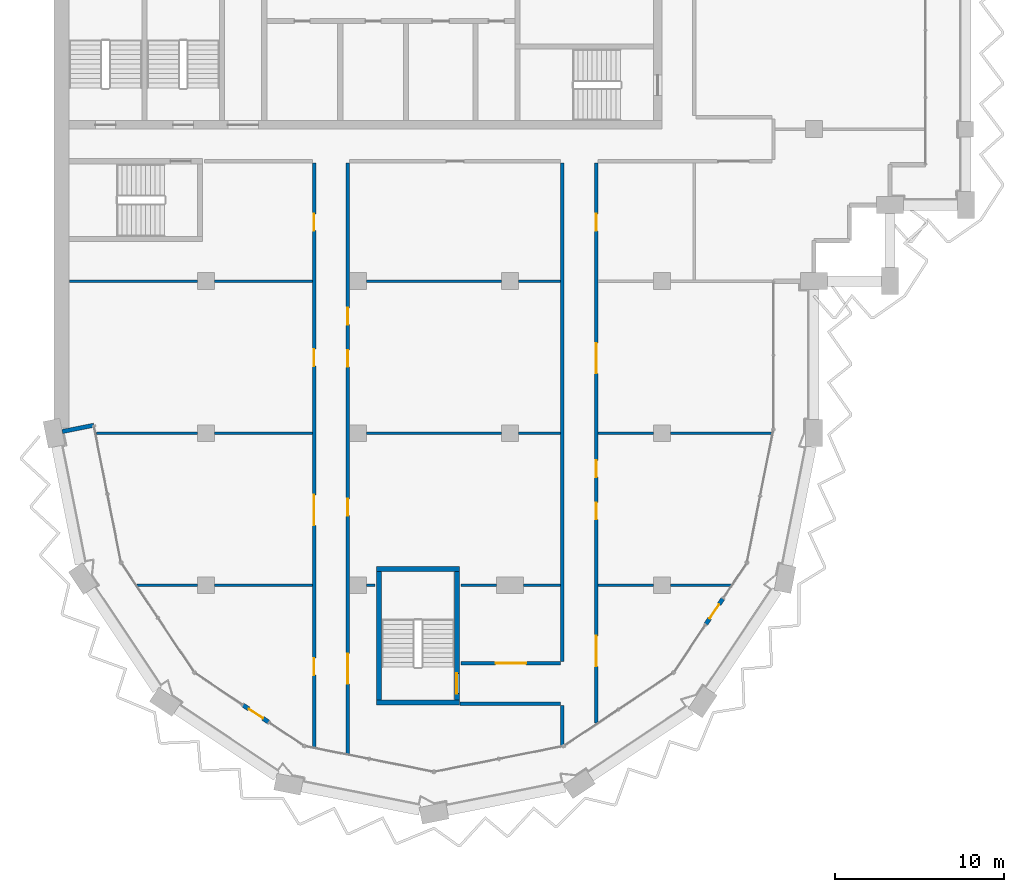
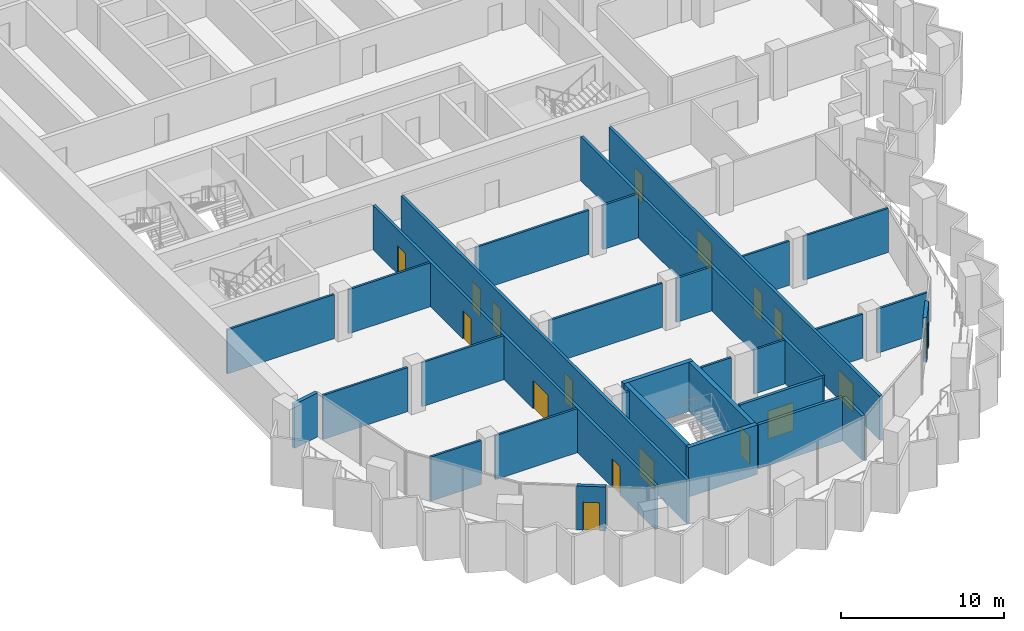
# One storey, part 7 of 16: 31 walls, 17 doors, 17 openings.
"""IFC4 building model written with IfcOpenShell, lengths in metres."""

from ifc_helpers import new_model, si_unit, direction, frame, frame_2d, origin, place, context, subcontext, project, spatial, rectangle, extrude, material, layer, layer_set, type_object, element, fill, save


model = new_model("IFC4")

# Units and contexts
model_context = context("Model", 3, precision=1e-05, world=origin(), true_north=direction((0.0, 1.0)))
body_context = subcontext(model_context, "Body", "Model", "MODEL_VIEW")
ifc_project = project(units=[si_unit("LENGTHUNIT", "METRE"), si_unit("AREAUNIT", "SQUARE_METRE"), si_unit("VOLUMEUNIT", "CUBIC_METRE"), si_unit("PLANEANGLEUNIT", "RADIAN"), si_unit("MASSUNIT", "GRAM", prefix="KILO")], contexts=[model_context])

# Site, building, storey
site_placement = place(None, origin())
site = spatial("IfcSite", under=ifc_project, at=site_placement, CompositionType="ELEMENT")
building_placement = place(site_placement, origin())
building = spatial("IfcBuilding", under=site, at=building_placement, Name="Hunhe Ridgeline Campus", CompositionType="ELEMENT")
storey_placement = place(building_placement, frame((0.0, 0.0, 246.60009765625)))
storey = spatial("IfcBuildingStorey", under=building, at=storey_placement, Name="L63", CompositionType="ELEMENT", Elevation=246.60009765625)

# Walls
ifc_material_1 = material(Name="Concrete C30", Category="concrete")
ifc_layer_1 = layer(ifc_material_1, 0.25)
ifc_layer_set_1 = layer_set([ifc_layer_1], Name="Corner return wall 250 Concrete C30")
wall_type_1 = type_object("IfcWallType", Name="Corner return wall 250 Concrete C30", PredefinedType="SOLIDWALL", material=ifc_layer_set_1)
wall_1_placement = place(storey_placement, frame((0.490234375, 45.098388671875, 0.0), z_axis=(0.0, 0.0, 1.0), x_axis=(0.980836699013, 0.194831644939, 0.0)))
element("IfcWall", 1, at=wall_1_placement, inside=storey, type_object=wall_type_1, Name="Corner return wall 1", PredefinedType="SOLIDWALL", context=body_context, shape_type="SweptSolid", body=[
    extrude(rectangle(XDim=1.90087890625, YDim=0.25, at=frame_2d((0.950439453125, 0.0))), origin(), (0.0, 0.0, 1.0), 3.2998046875),
])
ifc_material_2 = material(Name="Gypsum board partition")
ifc_layer_2 = layer(ifc_material_2, 0.199951171875)
ifc_layer_set_2 = layer_set([ifc_layer_2], Name="Corridor partition 200 gypsum board on steel studs")
wall_type_2 = type_object("IfcWallType", Name="Corridor partition 200 gypsum board on steel studs", PredefinedType="PARTITIONING", material=ifc_layer_set_2)
wall_2_placement = place(storey_placement, frame((30.0, 28.97509765625, 0.0), z_axis=(0.0, 0.0, 1.0), x_axis=(-1.0, 0.0, 0.0)))
element("IfcWall", 2, at=wall_2_placement, inside=storey, type_object=wall_type_2, Name="F-L63-wall-001", PredefinedType="PARTITIONING", context=body_context, shape_type="SweptSolid", body=[
    extrude(rectangle(XDim=5.969970703125, YDim=0.199951171875, at=frame_2d((2.98486328125, 0.0))), origin(), (0.0, 0.0, 1.0), 3.2998046875),
])

# Wall, opening, door
wall_3_placement = place(storey_placement, frame((24.10400390625, 31.375, 0.0), z_axis=(0.0, 0.0, 1.0), x_axis=(1.0, 0.0, 0.0)))
wall_3 = element("IfcWall", 3, at=wall_3_placement, inside=storey, type_object=wall_type_2, Name="F-L63-wall-002", PredefinedType="PARTITIONING", context=body_context, shape_type="SweptSolid", body=[
    extrude(rectangle(XDim=5.89599609375, YDim=0.199951171875, at=frame_2d((2.947998046875, 0.0))), origin(), (0.0, 0.0, 1.0), 3.2998046875),
])
opening_1_placement = place(wall_3_placement, frame((2.048095703125, 0.0, 0.0)))
opening_1 = element("IfcOpeningElement", 4, at=opening_1_placement, cuts=wall_3, Name="Opening RD2-003", PredefinedType="OPENING", context=body_context, shape_type="SweptSolid", body=[
    extrude(rectangle(XDim=1.800048828125, YDim=2.10009765625, at=frame_2d((0.89990234375, 1.050048828125))), frame((0.0, 0.10009765625, 0.0), z_axis=(0.0, -1.0, 0.0), x_axis=(1.0, 0.0, 0.0)), (0.0, 0.0, 1.0), 0.199951171875),
])
ifc_material_3 = material(Name="Timber door leaf", Category="wood")
door_type_1 = type_object("IfcDoorType", Name="Double fire door 1800x2100 timber FD60", OperationType="DOUBLE_DOOR_SINGLE_SWING", PredefinedType="DOOR", material=ifc_material_3)
door_1_placement = place(opening_1_placement, origin())
door_1 = element("IfcDoor", 5, at=door_1_placement, inside=storey, type_object=door_type_1, Name="F-L63-door-003", OperationType="DOUBLE_DOOR_SINGLE_SWING", OverallHeight=2.10009765625, OverallWidth=1.800048828125, PredefinedType="DOOR", context=body_context, shape_type="SweptSolid", body=[
    extrude(rectangle(XDim=1.800048828125, YDim=2.10009765625, at=frame_2d((0.89990234375, 1.050048828125))), frame((0.0, 0.02490234375, 0.0), z_axis=(0.0, -1.0, 0.0), x_axis=(1.0, 0.0, 0.0)), (0.0, 0.0, 1.0), 0.050048828125),
])
fill(opening_1, door_1)

# Wall, openings, doors
wall_4_placement = place(storey_placement, frame((15.39990234375, 26.415283203125, 0.0), z_axis=(0.0, 0.0, 1.0), x_axis=(0.0, 1.0, 0.0)))
wall_4 = element("IfcWall", 6, at=wall_4_placement, inside=storey, type_object=wall_type_2, Name="F-L63-wall-033", PredefinedType="PARTITIONING", context=body_context, shape_type="SweptSolid", body=[
    extrude(rectangle(XDim=34.584716796875, YDim=0.199951171875, at=frame_2d((17.29248046875, 0.0))), origin(), (0.0, 0.0, 1.0), 3.2998046875),
])
opening_2_placement = place(wall_4_placement, frame((4.26171875, 0.0, 0.0)))
opening_2 = element("IfcOpeningElement", 7, at=opening_2_placement, cuts=wall_4, Name="Opening RD1-002", PredefinedType="OPENING", context=body_context, shape_type="SweptSolid", body=[
    extrude(rectangle(XDim=1.0, YDim=2.10009765625, at=frame_2d((0.5, 1.050048828125))), frame((0.0, 0.10009765625, 0.0), z_axis=(0.0, -1.0, 0.0), x_axis=(1.0, 0.0, 0.0)), (0.0, 0.0, 1.0), 0.199951171875),
])
opening_3_placement = place(wall_4_placement, frame((13.13427734375, 0.0, 0.0)))
opening_3 = element("IfcOpeningElement", 8, at=opening_3_placement, cuts=wall_4, Name="Opening RD2-005", PredefinedType="OPENING", context=body_context, shape_type="SweptSolid", body=[
    extrude(rectangle(XDim=1.800048828125, YDim=2.10009765625, at=frame_2d((0.89990234375, 1.050048828125))), frame((0.0, 0.10009765625, 0.0), z_axis=(0.0, -1.0, 0.0), x_axis=(1.0, 0.0, 0.0)), (0.0, 0.0, 1.0), 0.199951171875),
])
opening_4_placement = place(wall_4_placement, frame((22.556396484375, 0.0, 0.0)))
opening_4 = element("IfcOpeningElement", 9, at=opening_4_placement, cuts=wall_4, Name="Opening RD1-011", PredefinedType="OPENING", context=body_context, shape_type="SweptSolid", body=[
    extrude(rectangle(XDim=1.0, YDim=2.10009765625, at=frame_2d((0.5, 1.050048828125))), frame((0.0, 0.10009765625, 0.0), z_axis=(0.0, -1.0, 0.0), x_axis=(1.0, 0.0, 0.0)), (0.0, 0.0, 1.0), 0.199951171875),
])
opening_5_placement = place(wall_4_placement, frame((30.575927734375, 0.0, 0.0)))
opening_5 = element("IfcOpeningElement", 10, at=opening_5_placement, cuts=wall_4, Name="Opening RD1-013", PredefinedType="OPENING", context=body_context, shape_type="SweptSolid", body=[
    extrude(rectangle(XDim=1.0, YDim=2.10009765625, at=frame_2d((0.5, 1.050048828125))), frame((0.0, 0.10009765625, 0.0), z_axis=(0.0, -1.0, 0.0), x_axis=(1.0, 0.0, 0.0)), (0.0, 0.0, 1.0), 0.199951171875),
])
door_2_placement = place(opening_3_placement, origin())
door_2 = element("IfcDoor", 11, at=door_2_placement, inside=storey, type_object=door_type_1, Name="F-L63-door-005", OperationType="DOUBLE_DOOR_SINGLE_SWING", OverallHeight=2.10009765625, OverallWidth=1.800048828125, PredefinedType="DOOR", context=body_context, shape_type="SweptSolid", body=[
    extrude(rectangle(XDim=1.800048828125, YDim=2.10009765625, at=frame_2d((0.89990234375, 1.050048828125))), frame((0.0, 0.02490234375, 0.0), z_axis=(0.0, -1.0, 0.0), x_axis=(1.0, 0.0, 0.0)), (0.0, 0.0, 1.0), 0.050048828125),
])
fill(opening_3, door_2)
door_type_2 = type_object("IfcDoorType", Name="Single fire door 1000x2100 timber FD60", OperationType="NOTDEFINED", PredefinedType="DOOR", material=ifc_material_3)
door_3_placement = place(opening_2_placement, origin())
door_3 = element("IfcDoor", 12, at=door_3_placement, inside=storey, type_object=door_type_2, Name="F-L63-door-002", OperationType="SINGLE_SWING_RIGHT", OverallHeight=2.10009765625, OverallWidth=1.0, PredefinedType="DOOR", context=body_context, shape_type="SweptSolid", body=[
    extrude(rectangle(XDim=1.0, YDim=2.10009765625, at=frame_2d((0.5, 1.050048828125))), frame((0.0, 0.02490234375, 0.0), z_axis=(0.0, -1.0, 0.0), x_axis=(1.0, 0.0, 0.0)), (0.0, 0.0, 1.0), 0.050048828125),
])
fill(opening_2, door_3)
door_4_placement = place(opening_4_placement, origin())
door_4 = element("IfcDoor", 13, at=door_4_placement, inside=storey, type_object=door_type_2, Name="F-L63-door-011", OperationType="SINGLE_SWING_RIGHT", OverallHeight=2.10009765625, OverallWidth=1.0, PredefinedType="DOOR", context=body_context, shape_type="SweptSolid", body=[
    extrude(rectangle(XDim=1.0, YDim=2.10009765625, at=frame_2d((0.5, 1.050048828125))), frame((0.0, 0.02490234375, 0.0), z_axis=(0.0, -1.0, 0.0), x_axis=(1.0, 0.0, 0.0)), (0.0, 0.0, 1.0), 0.050048828125),
])
fill(opening_4, door_4)
door_5_placement = place(opening_5_placement, origin())
door_5 = element("IfcDoor", 14, at=door_5_placement, inside=storey, type_object=door_type_2, Name="F-L63-door-013", OperationType="SINGLE_SWING_RIGHT", OverallHeight=2.10009765625, OverallWidth=1.0, PredefinedType="DOOR", context=body_context, shape_type="SweptSolid", body=[
    extrude(rectangle(XDim=1.0, YDim=2.10009765625, at=frame_2d((0.5, 1.050048828125))), frame((0.0, 0.02490234375, 0.0), z_axis=(0.0, -1.0, 0.0), x_axis=(1.0, 0.0, 0.0)), (0.0, 0.0, 1.0), 0.050048828125),
])
fill(opening_5, door_5)

wall_5_placement = place(storey_placement, frame((17.39990234375, 61.0, 0.0), z_axis=(0.0, 0.0, 1.0), x_axis=(0.0, -1.0, 0.0)))
wall_5 = element("IfcWall", 15, at=wall_5_placement, inside=storey, type_object=wall_type_2, Name="F-L63-wall-034", PredefinedType="PARTITIONING", context=body_context, shape_type="SweptSolid", body=[
    extrude(rectangle(XDim=34.982421875, YDim=0.199951171875, at=frame_2d((17.4912109375, 0.0))), origin(), (0.0, 0.0, 1.0), 3.2998046875),
])
opening_6_placement = place(wall_5_placement, frame((29.049072265625, 0.0, 0.0)))
opening_6 = element("IfcOpeningElement", 16, at=opening_6_placement, cuts=wall_5, Name="Opening RD2-001", PredefinedType="OPENING", context=body_context, shape_type="SweptSolid", body=[
    extrude(rectangle(XDim=1.800048828125, YDim=2.10009765625, at=frame_2d((0.89990234375, 1.050048828125))), frame((0.0, 0.10009765625, 0.0), z_axis=(0.0, -1.0, 0.0), x_axis=(1.0, 0.0, 0.0)), (0.0, 0.0, 1.0), 0.199951171875),
])
opening_7_placement = place(wall_5_placement, frame((19.885498046875, 0.0, 0.0)))
opening_7 = element("IfcOpeningElement", 17, at=opening_7_placement, cuts=wall_5, Name="Opening RD1-007", PredefinedType="OPENING", context=body_context, shape_type="SweptSolid", body=[
    extrude(rectangle(XDim=1.0, YDim=2.10009765625, at=frame_2d((0.5, 1.050048828125))), frame((0.0, 0.10009765625, 0.0), z_axis=(0.0, -1.0, 0.0), x_axis=(1.0, 0.0, 0.0)), (0.0, 0.0, 1.0), 0.199951171875),
])
opening_8_placement = place(wall_5_placement, frame((11.076904296875, 0.0, 0.0)))
opening_8 = element("IfcOpeningElement", 18, at=opening_8_placement, cuts=wall_5, Name="Opening RD1-009", PredefinedType="OPENING", context=body_context, shape_type="SweptSolid", body=[
    extrude(rectangle(XDim=1.0, YDim=2.10009765625, at=frame_2d((0.5, 1.050048828125))), frame((0.0, 0.10009765625, 0.0), z_axis=(0.0, -1.0, 0.0), x_axis=(1.0, 0.0, 0.0)), (0.0, 0.0, 1.0), 0.199951171875),
])
opening_9_placement = place(wall_5_placement, frame((8.576904296875, 0.0, 0.0)))
opening_9 = element("IfcOpeningElement", 19, at=opening_9_placement, cuts=wall_5, Name="Opening RD1-012", PredefinedType="OPENING", context=body_context, shape_type="SweptSolid", body=[
    extrude(rectangle(XDim=1.0, YDim=2.10009765625, at=frame_2d((0.5, 1.050048828125))), frame((0.0, 0.10009765625, 0.0), z_axis=(0.0, -1.0, 0.0), x_axis=(1.0, 0.0, 0.0)), (0.0, 0.0, 1.0), 0.199951171875),
])
door_6_placement = place(opening_6_placement, origin())
door_6 = element("IfcDoor", 20, at=door_6_placement, inside=storey, type_object=door_type_1, Name="F-L63-door-001", OperationType="DOUBLE_DOOR_SINGLE_SWING", OverallHeight=2.10009765625, OverallWidth=1.800048828125, PredefinedType="DOOR", context=body_context, shape_type="SweptSolid", body=[
    extrude(rectangle(XDim=1.800048828125, YDim=2.10009765625, at=frame_2d((0.89990234375, 1.050048828125))), frame((0.0, 0.02490234375, 0.0), z_axis=(0.0, -1.0, 0.0), x_axis=(1.0, 0.0, 0.0)), (0.0, 0.0, 1.0), 0.050048828125),
])
fill(opening_6, door_6)
door_7_placement = place(opening_7_placement, origin())
door_7 = element("IfcDoor", 21, at=door_7_placement, inside=storey, type_object=door_type_2, Name="F-L63-door-007", OperationType="SINGLE_SWING_RIGHT", OverallHeight=2.10009765625, OverallWidth=1.0, PredefinedType="DOOR", context=body_context, shape_type="SweptSolid", body=[
    extrude(rectangle(XDim=1.0, YDim=2.10009765625, at=frame_2d((0.5, 1.050048828125))), frame((0.0, 0.02490234375, 0.0), z_axis=(0.0, -1.0, 0.0), x_axis=(1.0, 0.0, 0.0)), (0.0, 0.0, 1.0), 0.050048828125),
])
fill(opening_7, door_7)
door_8_placement = place(opening_8_placement, frame((1.0, 0.0, 0.0), z_axis=(0.0, 0.0, 1.0), x_axis=(-1.0, 0.0, 0.0)))
door_8 = element("IfcDoor", 22, at=door_8_placement, inside=storey, type_object=door_type_2, Name="F-L63-door-009", OperationType="SINGLE_SWING_RIGHT", OverallHeight=2.10009765625, OverallWidth=1.0, PredefinedType="DOOR", context=body_context, shape_type="SweptSolid", body=[
    extrude(rectangle(XDim=1.0, YDim=2.10009765625, at=frame_2d((0.5, 1.050048828125))), frame((0.0, 0.02490234375, 0.0), z_axis=(0.0, -1.0, 0.0), x_axis=(1.0, 0.0, 0.0)), (0.0, 0.0, 1.0), 0.050048828125),
])
fill(opening_8, door_8)
door_9_placement = place(opening_9_placement, frame((1.0, 0.0, 0.0), z_axis=(0.0, 0.0, 1.0), x_axis=(-1.0, 0.0, 0.0)))
door_9 = element("IfcDoor", 23, at=door_9_placement, inside=storey, type_object=door_type_2, Name="F-L63-door-012", OperationType="SINGLE_SWING_RIGHT", OverallHeight=2.10009765625, OverallWidth=1.0, PredefinedType="DOOR", context=body_context, shape_type="SweptSolid", body=[
    extrude(rectangle(XDim=1.0, YDim=2.10009765625, at=frame_2d((0.5, 1.050048828125))), frame((0.0, 0.02490234375, 0.0), z_axis=(0.0, -1.0, 0.0), x_axis=(1.0, 0.0, 0.0)), (0.0, 0.0, 1.0), 0.050048828125),
])
fill(opening_9, door_9)

# Walls
wall_6_placement = place(storey_placement, frame((30.10009765625, 26.514892578125, 0.0), z_axis=(0.0, 0.0, 1.0), x_axis=(0.0, 1.0, 0.0)))
element("IfcWall", 24, at=wall_6_placement, inside=storey, type_object=wall_type_2, Name="F-L63-wall-035", PredefinedType="PARTITIONING", context=body_context, shape_type="SweptSolid", body=[
    extrude(rectangle(XDim=2.360107421875, YDim=0.199951171875, at=frame_2d((1.18017578125, 0.0))), origin(), (0.0, 0.0, 1.0), 3.2998046875),
])
wall_7_placement = place(storey_placement, frame((30.10009765625, 31.47509765625, 0.0), z_axis=(0.0, 0.0, 1.0), x_axis=(0.0, 1.0, 0.0)))
element("IfcWall", 25, at=wall_7_placement, inside=storey, type_object=wall_type_2, Name="F-L63-wall-036", PredefinedType="PARTITIONING", context=body_context, shape_type="SweptSolid", body=[
    extrude(rectangle(XDim=29.52490234375, YDim=0.199951171875, at=frame_2d((14.762451171875, 0.0))), origin(), (0.0, 0.0, 1.0), 3.2998046875),
])

# Wall, openings, doors
wall_8_placement = place(storey_placement, frame((32.10009765625, 61.0, 0.0), z_axis=(0.0, 0.0, 1.0), x_axis=(0.0, -1.0, 0.0)))
wall_8 = element("IfcWall", 26, at=wall_8_placement, inside=storey, type_object=wall_type_2, Name="F-L63-wall-037", PredefinedType="PARTITIONING", context=body_context, shape_type="SweptSolid", body=[
    extrude(rectangle(XDim=33.17333984375, YDim=0.199951171875, at=frame_2d((16.586669921875, 0.0))), origin(), (0.0, 0.0, 1.0), 3.2998046875),
])
opening_10_placement = place(wall_8_placement, frame((28.001220703125, 0.0, 0.0)))
opening_10 = element("IfcOpeningElement", 27, at=opening_10_placement, cuts=wall_8, Name="Opening RD2-004", PredefinedType="OPENING", context=body_context, shape_type="SweptSolid", body=[
    extrude(rectangle(XDim=1.800048828125, YDim=2.10009765625, at=frame_2d((0.89990234375, 1.050048828125))), frame((0.0, 0.10009765625, 0.0), z_axis=(0.0, -1.0, 0.0), x_axis=(1.0, 0.0, 0.0)), (0.0, 0.0, 1.0), 0.199951171875),
])
opening_11_placement = place(wall_8_placement, frame((20.107666015625, 0.0, 0.0)))
opening_11 = element("IfcOpeningElement", 28, at=opening_11_placement, cuts=wall_8, Name="Opening RD1-006", PredefinedType="OPENING", context=body_context, shape_type="SweptSolid", body=[
    extrude(rectangle(XDim=1.0, YDim=2.10009765625, at=frame_2d((0.5, 1.050048828125))), frame((0.0, 0.10009765625, 0.0), z_axis=(0.0, -1.0, 0.0), x_axis=(1.0, 0.0, 0.0)), (0.0, 0.0, 1.0), 0.199951171875),
])
opening_12_placement = place(wall_8_placement, frame((17.607666015625, 0.0, 0.0)))
opening_12 = element("IfcOpeningElement", 29, at=opening_12_placement, cuts=wall_8, Name="Opening RD1-008", PredefinedType="OPENING", context=body_context, shape_type="SweptSolid", body=[
    extrude(rectangle(XDim=1.0, YDim=2.10009765625, at=frame_2d((0.5, 1.050048828125))), frame((0.0, 0.10009765625, 0.0), z_axis=(0.0, -1.0, 0.0), x_axis=(1.0, 0.0, 0.0)), (0.0, 0.0, 1.0), 0.199951171875),
])
opening_13_placement = place(wall_8_placement, frame((10.660400390625, 0.0, 0.0)))
opening_13 = element("IfcOpeningElement", 30, at=opening_13_placement, cuts=wall_8, Name="Opening RD2-010", PredefinedType="OPENING", context=body_context, shape_type="SweptSolid", body=[
    extrude(rectangle(XDim=1.800048828125, YDim=2.10009765625, at=frame_2d((0.89990234375, 1.050048828125))), frame((0.0, 0.10009765625, 0.0), z_axis=(0.0, -1.0, 0.0), x_axis=(1.0, 0.0, 0.0)), (0.0, 0.0, 1.0), 0.199951171875),
])
opening_14_placement = place(wall_8_placement, frame((3.018310546875, 0.0, 0.0)))
opening_14 = element("IfcOpeningElement", 31, at=opening_14_placement, cuts=wall_8, Name="Opening RD1-014", PredefinedType="OPENING", context=body_context, shape_type="SweptSolid", body=[
    extrude(rectangle(XDim=1.0, YDim=2.10009765625, at=frame_2d((0.5, 1.050048828125))), frame((0.0, 0.10009765625, 0.0), z_axis=(0.0, -1.0, 0.0), x_axis=(1.0, 0.0, 0.0)), (0.0, 0.0, 1.0), 0.199951171875),
])
door_10_placement = place(opening_10_placement, origin())
door_10 = element("IfcDoor", 32, at=door_10_placement, inside=storey, type_object=door_type_1, Name="F-L63-door-004", OperationType="DOUBLE_DOOR_SINGLE_SWING", OverallHeight=2.10009765625, OverallWidth=1.800048828125, PredefinedType="DOOR", context=body_context, shape_type="SweptSolid", body=[
    extrude(rectangle(XDim=1.800048828125, YDim=2.10009765625, at=frame_2d((0.89990234375, 1.050048828125))), frame((0.0, 0.02490234375, 0.0), z_axis=(0.0, -1.0, 0.0), x_axis=(1.0, 0.0, 0.0)), (0.0, 0.0, 1.0), 0.050048828125),
])
fill(opening_10, door_10)
door_11_placement = place(opening_13_placement, origin())
door_11 = element("IfcDoor", 33, at=door_11_placement, inside=storey, type_object=door_type_1, Name="F-L63-door-010", OperationType="DOUBLE_DOOR_SINGLE_SWING", OverallHeight=2.10009765625, OverallWidth=1.800048828125, PredefinedType="DOOR", context=body_context, shape_type="SweptSolid", body=[
    extrude(rectangle(XDim=1.800048828125, YDim=2.10009765625, at=frame_2d((0.89990234375, 1.050048828125))), frame((0.0, 0.02490234375, 0.0), z_axis=(0.0, -1.0, 0.0), x_axis=(1.0, 0.0, 0.0)), (0.0, 0.0, 1.0), 0.050048828125),
])
fill(opening_13, door_11)
door_12_placement = place(opening_11_placement, frame((1.0, 0.0, 0.0), z_axis=(0.0, 0.0, 1.0), x_axis=(-1.0, 0.0, 0.0)))
door_12 = element("IfcDoor", 34, at=door_12_placement, inside=storey, type_object=door_type_2, Name="F-L63-door-006", OperationType="SINGLE_SWING_RIGHT", OverallHeight=2.10009765625, OverallWidth=1.0, PredefinedType="DOOR", context=body_context, shape_type="SweptSolid", body=[
    extrude(rectangle(XDim=1.0, YDim=2.10009765625, at=frame_2d((0.5, 1.050048828125))), frame((0.0, 0.02490234375, 0.0), z_axis=(0.0, -1.0, 0.0), x_axis=(1.0, 0.0, 0.0)), (0.0, 0.0, 1.0), 0.050048828125),
])
fill(opening_11, door_12)
door_13_placement = place(opening_12_placement, frame((1.0, 0.0, 0.0), z_axis=(0.0, 0.0, 1.0), x_axis=(-1.0, 0.0, 0.0)))
door_13 = element("IfcDoor", 35, at=door_13_placement, inside=storey, type_object=door_type_2, Name="F-L63-door-008", OperationType="SINGLE_SWING_RIGHT", OverallHeight=2.10009765625, OverallWidth=1.0, PredefinedType="DOOR", context=body_context, shape_type="SweptSolid", body=[
    extrude(rectangle(XDim=1.0, YDim=2.10009765625, at=frame_2d((0.5, 1.050048828125))), frame((0.0, 0.02490234375, 0.0), z_axis=(0.0, -1.0, 0.0), x_axis=(1.0, 0.0, 0.0)), (0.0, 0.0, 1.0), 0.050048828125),
])
fill(opening_12, door_13)
door_14_placement = place(opening_14_placement, origin())
door_14 = element("IfcDoor", 36, at=door_14_placement, inside=storey, type_object=door_type_2, Name="F-L63-door-014", OperationType="SINGLE_SWING_RIGHT", OverallHeight=2.10009765625, OverallWidth=1.0, PredefinedType="DOOR", context=body_context, shape_type="SweptSolid", body=[
    extrude(rectangle(XDim=1.0, YDim=2.10009765625, at=frame_2d((0.5, 1.050048828125))), frame((0.0, 0.02490234375, 0.0), z_axis=(0.0, -1.0, 0.0), x_axis=(1.0, 0.0, 0.0)), (0.0, 0.0, 1.0), 0.050048828125),
])
fill(opening_14, door_14)

# Wall, opening, door
ifc_layer_3 = layer(ifc_material_1, 0.25)
ifc_layer_set_3 = layer_set([ifc_layer_3], Name="Loggia door pier wall 250 Concrete C30")
wall_type_3 = type_object("IfcWallType", Name="Loggia door pier wall 250 Concrete C30", PredefinedType="SOLIDWALL", material=ifc_layer_set_3)
wall_9_placement = place(storey_placement, frame((11.19970703125, 28.897705078125, 0.0), z_axis=(0.0, 0.0, 1.0), x_axis=(0.83146554274, -0.555576323502, 0.0)))
wall_9 = element("IfcWall", 37, at=wall_9_placement, inside=storey, type_object=wall_type_3, Name="Loggia door pier 1", PredefinedType="SOLIDWALL", context=body_context, shape_type="SweptSolid", body=[
    extrude(rectangle(XDim=1.800048828125, YDim=0.25, at=frame_2d((0.89990234375, 0.0))), origin(), (0.0, 0.0, 1.0), 3.2998046875),
])
opening_15_placement = place(wall_9_placement, frame((0.39990234375, 0.0, 0.0)))
opening_15 = element("IfcOpeningElement", 38, at=opening_15_placement, cuts=wall_9, Name="Opening BD502", PredefinedType="OPENING", context=body_context, shape_type="SweptSolid", body=[
    extrude(rectangle(XDim=1.0, YDim=2.10009765625, at=frame_2d((0.5, 1.050048828125))), frame((0.0, 0.125, 0.0), z_axis=(0.0, -1.0, 0.0), x_axis=(1.0, 0.0, 0.0)), (0.0, 0.0, 1.0), 0.25),
])
ifc_material_4 = material(Name="Aluminium 6063", Category="aluminium")
door_type_3 = type_object("IfcDoorType", Name="Loggia glazed door 1000x2100", OperationType="NOTDEFINED", PredefinedType="DOOR", material=ifc_material_4)
door_15_placement = place(opening_15_placement, frame((1.0, 0.0, 0.0), z_axis=(0.0, 0.0, 1.0), x_axis=(-1.0, 0.0, 0.0)))
door_15 = element("IfcDoor", 39, at=door_15_placement, inside=storey, type_object=door_type_3, Name="Loggia door BD502", OperationType="SINGLE_SWING_LEFT", OverallHeight=2.10009765625, OverallWidth=1.0, PredefinedType="DOOR", context=body_context, shape_type="SweptSolid", body=[
    extrude(rectangle(XDim=1.0, YDim=2.10009765625, at=frame_2d((0.5, 1.050048828125))), frame((0.0, 0.02490234375, 0.0), z_axis=(0.0, -1.0, 0.0), x_axis=(1.0, 0.0, 0.0)), (0.0, 0.0, 1.0), 0.050048828125),
])
fill(opening_15, door_15)

wall_10_placement = place(storey_placement, frame((38.602294921875, 33.69970703125, 0.0), z_axis=(0.0, 0.0, 1.0), x_axis=(0.555576323502, 0.83146554274, 0.0)))
wall_10 = element("IfcWall", 40, at=wall_10_placement, inside=storey, type_object=wall_type_3, Name="Loggia door pier 2", PredefinedType="SOLIDWALL", context=body_context, shape_type="SweptSolid", body=[
    extrude(rectangle(XDim=1.800048828125, YDim=0.25, at=frame_2d((0.89990234375, 0.0))), origin(), (0.0, 0.0, 1.0), 3.2998046875),
])
opening_16_placement = place(wall_10_placement, frame((0.39990234375, 0.0, 0.0)))
opening_16 = element("IfcOpeningElement", 41, at=opening_16_placement, cuts=wall_10, Name="Opening BD504", PredefinedType="OPENING", context=body_context, shape_type="SweptSolid", body=[
    extrude(rectangle(XDim=1.0, YDim=2.10009765625, at=frame_2d((0.5, 1.050048828125))), frame((0.0, 0.125, 0.0), z_axis=(0.0, -1.0, 0.0), x_axis=(1.0, 0.0, 0.0)), (0.0, 0.0, 1.0), 0.25),
])
door_16_placement = place(opening_16_placement, frame((1.0, 0.0, 0.0), z_axis=(0.0, 0.0, 1.0), x_axis=(-1.0, 0.0, 0.0)))
door_16 = element("IfcDoor", 42, at=door_16_placement, inside=storey, type_object=door_type_3, Name="Loggia door BD504", OperationType="SINGLE_SWING_LEFT", OverallHeight=2.10009765625, OverallWidth=1.0, PredefinedType="DOOR", context=body_context, shape_type="SweptSolid", body=[
    extrude(rectangle(XDim=1.0, YDim=2.10009765625, at=frame_2d((0.5, 1.050048828125))), frame((0.0, 0.02490234375, 0.0), z_axis=(0.0, -1.0, 0.0), x_axis=(1.0, 0.0, 0.0)), (0.0, 0.0, 1.0), 0.050048828125),
])
fill(opening_16, door_16)

# Walls
ifc_layer_4 = layer(ifc_material_2, 0.14990234375)
ifc_layer_set_4 = layer_set([ifc_layer_4], Name="Room partition 150 gypsum board on steel studs")
wall_type_4 = type_object("IfcWallType", Name="Room partition 150 gypsum board on steel studs", PredefinedType="PARTITIONING", material=ifc_layer_set_4)
wall_11_placement = place(storey_placement, frame((4.925537109375, 36.0, 0.0), z_axis=(0.0, 0.0, 1.0), x_axis=(1.0, 0.0, 0.0)))
element("IfcWall", 43, at=wall_11_placement, inside=storey, type_object=wall_type_4, Name="F-L63-wall-003", PredefinedType="PARTITIONING", context=body_context, shape_type="SweptSolid", body=[
    extrude(rectangle(XDim=3.574462890625, YDim=0.14990234375, at=frame_2d((1.787109375, 0.0))), origin(), (0.0, 0.0, 1.0), 3.2998046875),
])
wall_12_placement = place(storey_placement, frame((9.5, 36.0, 0.0), z_axis=(0.0, 0.0, 1.0), x_axis=(1.0, 0.0, 0.0)))
element("IfcWall", 44, at=wall_12_placement, inside=storey, type_object=wall_type_4, Name="F-L63-wall-004", PredefinedType="PARTITIONING", context=body_context, shape_type="SweptSolid", body=[
    extrude(rectangle(XDim=5.800048828125, YDim=0.14990234375, at=frame_2d((2.89990234375, 0.0))), origin(), (0.0, 0.0, 1.0), 3.2998046875),
])
wall_13_placement = place(storey_placement, frame((18.5, 36.0, 0.0), z_axis=(0.0, 0.0, 1.0), x_axis=(1.0, 0.0, 0.0)))
element("IfcWall", 45, at=wall_13_placement, inside=storey, type_object=wall_type_4, Name="F-L63-wall-005", PredefinedType="PARTITIONING", context=body_context, shape_type="SweptSolid", body=[
    extrude(rectangle(XDim=0.49609375, YDim=0.14990234375, at=frame_2d((0.248046875, 0.0))), origin(), (0.0, 0.0, 1.0), 3.2998046875),
])
wall_14_placement = place(storey_placement, frame((24.10400390625, 36.0, 0.0), z_axis=(0.0, 0.0, 1.0), x_axis=(1.0, 0.0, 0.0)))
element("IfcWall", 46, at=wall_14_placement, inside=storey, type_object=wall_type_4, Name="F-L63-wall-006", PredefinedType="PARTITIONING", context=body_context, shape_type="SweptSolid", body=[
    extrude(rectangle(XDim=2.095947265625, YDim=0.14990234375, at=frame_2d((1.0478515625, 0.0))), origin(), (0.0, 0.0, 1.0), 3.2998046875),
])
wall_15_placement = place(storey_placement, frame((27.800048828125, 36.0, 0.0), z_axis=(0.0, 0.0, 1.0), x_axis=(1.0, 0.0, 0.0)))
element("IfcWall", 47, at=wall_15_placement, inside=storey, type_object=wall_type_4, Name="F-L63-wall-007", PredefinedType="PARTITIONING", context=body_context, shape_type="SweptSolid", body=[
    extrude(rectangle(XDim=2.199951171875, YDim=0.14990234375, at=frame_2d((1.10009765625, 0.0))), origin(), (0.0, 0.0, 1.0), 3.2998046875),
])
wall_16_placement = place(storey_placement, frame((32.199951171875, 36.0, 0.0), z_axis=(0.0, 0.0, 1.0), x_axis=(1.0, 0.0, 0.0)))
element("IfcWall", 48, at=wall_16_placement, inside=storey, type_object=wall_type_4, Name="F-L63-wall-008", PredefinedType="PARTITIONING", context=body_context, shape_type="SweptSolid", body=[
    extrude(rectangle(XDim=3.300048828125, YDim=0.14990234375, at=frame_2d((1.64990234375, 0.0))), origin(), (0.0, 0.0, 1.0), 3.2998046875),
])
wall_17_placement = place(storey_placement, frame((36.5, 36.0, 0.0), z_axis=(0.0, 0.0, 1.0), x_axis=(1.0, 0.0, 0.0)))
element("IfcWall", 49, at=wall_17_placement, inside=storey, type_object=wall_type_4, Name="F-L63-wall-009", PredefinedType="PARTITIONING", context=body_context, shape_type="SweptSolid", body=[
    extrude(rectangle(XDim=3.574462890625, YDim=0.14990234375, at=frame_2d((1.787109375, 0.0))), origin(), (0.0, 0.0, 1.0), 3.2998046875),
])
wall_18_placement = place(storey_placement, frame((2.503173828125, 45.0, 0.0), z_axis=(0.0, 0.0, 1.0), x_axis=(1.0, 0.0, 0.0)))
element("IfcWall", 50, at=wall_18_placement, inside=storey, type_object=wall_type_4, Name="F-L63-wall-010", PredefinedType="PARTITIONING", context=body_context, shape_type="SweptSolid", body=[
    extrude(rectangle(XDim=5.996826171875, YDim=0.14990234375, at=frame_2d((2.99853515625, 0.0))), origin(), (0.0, 0.0, 1.0), 3.2998046875),
])
wall_19_placement = place(storey_placement, frame((9.5, 45.0, 0.0), z_axis=(0.0, 0.0, 1.0), x_axis=(1.0, 0.0, 0.0)))
element("IfcWall", 51, at=wall_19_placement, inside=storey, type_object=wall_type_4, Name="F-L63-wall-011", PredefinedType="PARTITIONING", context=body_context, shape_type="SweptSolid", body=[
    extrude(rectangle(XDim=5.800048828125, YDim=0.14990234375, at=frame_2d((2.89990234375, 0.0))), origin(), (0.0, 0.0, 1.0), 3.2998046875),
])
wall_20_placement = place(storey_placement, frame((18.5, 45.0, 0.0), z_axis=(0.0, 0.0, 1.0), x_axis=(1.0, 0.0, 0.0)))
element("IfcWall", 52, at=wall_20_placement, inside=storey, type_object=wall_type_4, Name="F-L63-wall-012", PredefinedType="PARTITIONING", context=body_context, shape_type="SweptSolid", body=[
    extrude(rectangle(XDim=8.0, YDim=0.14990234375, at=frame_2d((4.0, 0.0))), origin(), (0.0, 0.0, 1.0), 3.2998046875),
])
wall_21_placement = place(storey_placement, frame((27.5, 45.0, 0.0), z_axis=(0.0, 0.0, 1.0), x_axis=(1.0, 0.0, 0.0)))
element("IfcWall", 53, at=wall_21_placement, inside=storey, type_object=wall_type_4, Name="F-L63-wall-013", PredefinedType="PARTITIONING", context=body_context, shape_type="SweptSolid", body=[
    extrude(rectangle(XDim=2.5, YDim=0.14990234375, at=frame_2d((1.25, 0.0))), origin(), (0.0, 0.0, 1.0), 3.2998046875),
])
wall_22_placement = place(storey_placement, frame((32.199951171875, 45.0, 0.0), z_axis=(0.0, 0.0, 1.0), x_axis=(1.0, 0.0, 0.0)))
element("IfcWall", 54, at=wall_22_placement, inside=storey, type_object=wall_type_4, Name="F-L63-wall-014", PredefinedType="PARTITIONING", context=body_context, shape_type="SweptSolid", body=[
    extrude(rectangle(XDim=3.300048828125, YDim=0.14990234375, at=frame_2d((1.64990234375, 0.0))), origin(), (0.0, 0.0, 1.0), 3.2998046875),
])
wall_23_placement = place(storey_placement, frame((36.5, 45.0, 0.0), z_axis=(0.0, 0.0, 1.0), x_axis=(1.0, 0.0, 0.0)))
element("IfcWall", 55, at=wall_23_placement, inside=storey, type_object=wall_type_4, Name="F-L63-wall-015", PredefinedType="PARTITIONING", context=body_context, shape_type="SweptSolid", body=[
    extrude(rectangle(XDim=5.996826171875, YDim=0.14990234375, at=frame_2d((2.99853515625, 0.0))), origin(), (0.0, 0.0, 1.0), 3.2998046875),
])
wall_24_placement = place(storey_placement, frame((0.919921875, 54.0, 0.0), z_axis=(0.0, 0.0, 1.0), x_axis=(1.0, 0.0, 0.0)))
element("IfcWall", 56, at=wall_24_placement, inside=storey, type_object=wall_type_4, Name="F-L63-wall-016", PredefinedType="PARTITIONING", context=body_context, shape_type="SweptSolid", body=[
    extrude(rectangle(XDim=7.580078125, YDim=0.14990234375, at=frame_2d((3.7900390625, 0.0))), origin(), (0.0, 0.0, 1.0), 3.2998046875),
])
wall_25_placement = place(storey_placement, frame((9.5, 54.0, 0.0), z_axis=(0.0, 0.0, 1.0), x_axis=(1.0, 0.0, 0.0)))
element("IfcWall", 57, at=wall_25_placement, inside=storey, type_object=wall_type_4, Name="F-L63-wall-017", PredefinedType="PARTITIONING", context=body_context, shape_type="SweptSolid", body=[
    extrude(rectangle(XDim=5.800048828125, YDim=0.14990234375, at=frame_2d((2.89990234375, 0.0))), origin(), (0.0, 0.0, 1.0), 3.2998046875),
])
wall_26_placement = place(storey_placement, frame((18.5, 54.0, 0.0), z_axis=(0.0, 0.0, 1.0), x_axis=(1.0, 0.0, 0.0)))
element("IfcWall", 58, at=wall_26_placement, inside=storey, type_object=wall_type_4, Name="F-L63-wall-018", PredefinedType="PARTITIONING", context=body_context, shape_type="SweptSolid", body=[
    extrude(rectangle(XDim=8.0, YDim=0.14990234375, at=frame_2d((4.0, 0.0))), origin(), (0.0, 0.0, 1.0), 3.2998046875),
])
wall_27_placement = place(storey_placement, frame((27.5, 54.0, 0.0), z_axis=(0.0, 0.0, 1.0), x_axis=(1.0, 0.0, 0.0)))
element("IfcWall", 59, at=wall_27_placement, inside=storey, type_object=wall_type_4, Name="F-L63-wall-019", PredefinedType="PARTITIONING", context=body_context, shape_type="SweptSolid", body=[
    extrude(rectangle(XDim=2.5, YDim=0.14990234375, at=frame_2d((1.25, 0.0))), origin(), (0.0, 0.0, 1.0), 3.2998046875),
])
ifc_material_5 = material(Name="Concrete C50", Category="concrete")
ifc_layer_5 = layer(ifc_material_5, 0.300048828125)
ifc_layer_set_5 = layer_set([ifc_layer_5], Name="Stair wall 300 reinforced concrete C50")
wall_type_5 = type_object("IfcWallType", Name="Stair wall 300 reinforced concrete C50", PredefinedType="SOLIDWALL", material=ifc_layer_set_5)
for number, where, z_axis, x_axis, name in (
    (60, (19.10009765625, 29.050048828125, -0.400146484375), (0.0, 0.0, 1.0), (1.0, 0.0, 0.0), "L63 core wall 1"),
    (61, (19.10009765625, 36.949951171875, -0.400146484375), (0.0, 0.0, 1.0), (1.0, 0.0, 0.0), "L63 core wall 2"),
):
    element("IfcWall", number, at=place(storey_placement, frame(where, z_axis=z_axis, x_axis=x_axis)), inside=storey, type_object=wall_type_5, Name=name, PredefinedType="SOLIDWALL", context=body_context, shape_type="SweptSolid", body=[
        extrude(rectangle(XDim=4.89990234375, YDim=0.300048828125, at=frame_2d((2.449951171875, 0.0))), origin(), (0.0, 0.0, 1.0), 3.699951171875),
    ])
wall_28_placement = place(storey_placement, frame((19.25, 29.199951171875, -0.400146484375), z_axis=(0.0, 0.0, 1.0), x_axis=(0.0, 1.0, 0.0)))
element("IfcWall", 62, at=wall_28_placement, inside=storey, type_object=wall_type_5, Name="L63 core wall 37", PredefinedType="SOLIDWALL", context=body_context, shape_type="SweptSolid", body=[
    extrude(rectangle(XDim=7.60009765625, YDim=0.300048828125, at=frame_2d((3.800048828125, 0.0))), origin(), (0.0, 0.0, 1.0), 3.699951171875),
])

# Wall, opening, door
wall_29_placement = place(storey_placement, frame((23.85009765625, 29.199951171875, -0.400146484375), z_axis=(0.0, 0.0, 1.0), x_axis=(0.0, 1.0, 0.0)))
wall_29 = element("IfcWall", 63, at=wall_29_placement, inside=storey, type_object=wall_type_5, Name="L63 core wall 42", PredefinedType="SOLIDWALL", context=body_context, shape_type="SweptSolid", body=[
    extrude(rectangle(XDim=7.60009765625, YDim=0.300048828125, at=frame_2d((3.800048828125, 0.0))), origin(), (0.0, 0.0, 1.0), 3.699951171875),
])
opening_17_placement = place(wall_29_placement, frame((0.375, 0.0, 0.39990234375)))
opening_17 = element("IfcOpeningElement", 64, at=opening_17_placement, cuts=wall_29, Name="Opening CD23", PredefinedType="OPENING", context=body_context, shape_type="SweptSolid", body=[
    extrude(rectangle(XDim=1.199951171875, YDim=2.10009765625, at=frame_2d((0.60009765625, 1.050048828125))), frame((0.0, 0.14990234375, 0.0), z_axis=(0.0, -1.0, 0.0), x_axis=(1.0, 0.0, 0.0)), (0.0, 0.0, 1.0), 0.300048828125),
])
ifc_material_6 = material(Name="Hollow metal fire door leaf")
door_type_4 = type_object("IfcDoorType", Name="Stair door 1200x2100 FD60", OperationType="SINGLE_SWING_LEFT", PredefinedType="DOOR", material=ifc_material_6)
door_17_placement = place(opening_17_placement, frame((1.199951171875, 0.0, 0.0), z_axis=(0.0, 0.0, 1.0), x_axis=(-1.0, 0.0, 0.0)))
door_17 = element("IfcDoor", 65, at=door_17_placement, inside=storey, type_object=door_type_4, Name="L63 door W3", OperationType="SINGLE_SWING_LEFT", OverallHeight=2.10009765625, OverallWidth=1.199951171875, PredefinedType="DOOR", context=body_context, shape_type="SweptSolid", body=[
    extrude(rectangle(XDim=1.199951171875, YDim=2.10009765625, at=frame_2d((0.60009765625, 1.050048828125))), frame((0.0, 0.02490234375, 0.0), z_axis=(0.0, -1.0, 0.0), x_axis=(1.0, 0.0, 0.0)), (0.0, 0.0, 1.0), 0.050048828125),
])
fill(opening_17, door_17)

save(model, "model.ifc")
